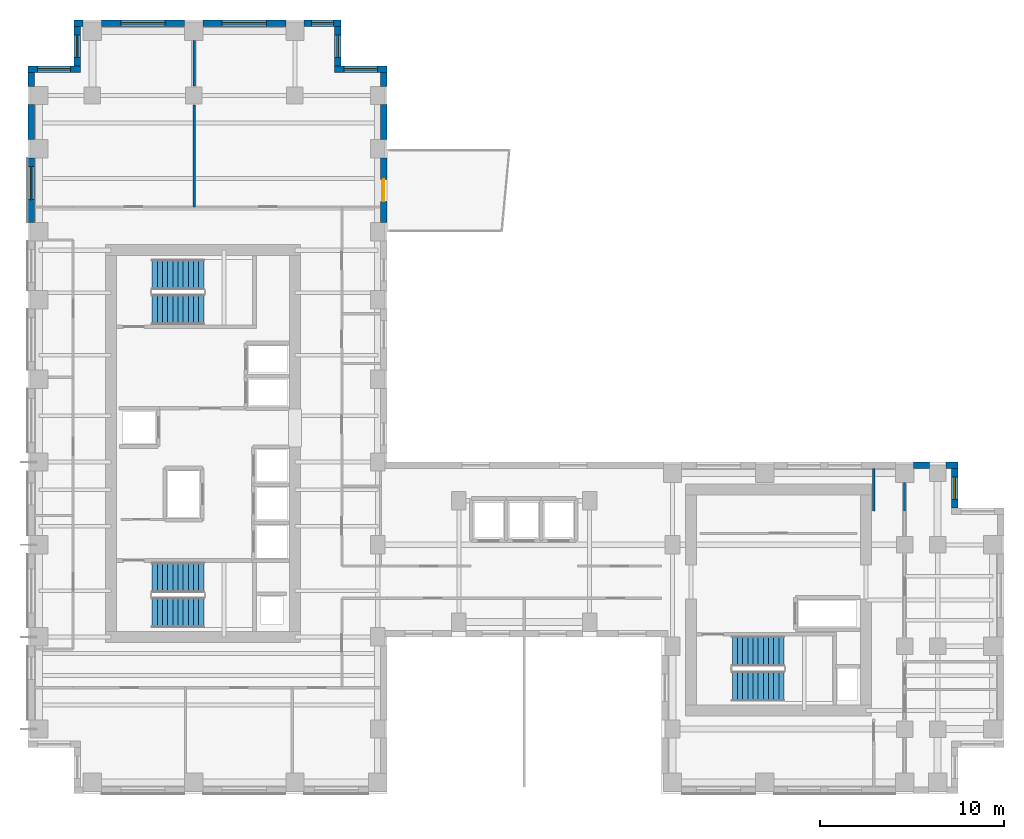
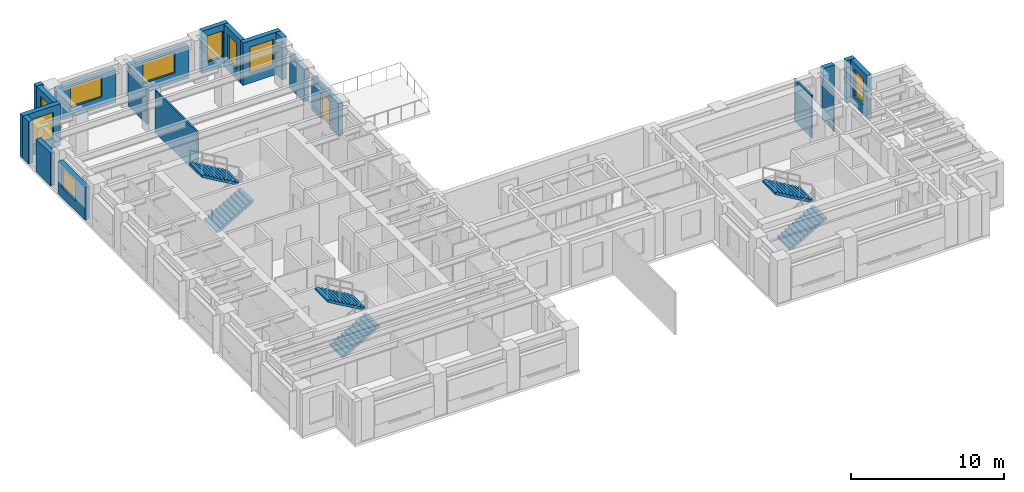
# One storey, part 8 of 10: 21 walls, 9 windows, 6 stair flights, 1 door, 10 openings, 3 elements without a shape of their own.
"""IFC4 building model written with IfcOpenShell, lengths in metres."""

from ifc_helpers import new_model, si_unit, direction, frame, frame_2d, origin, place, context, subcontext, project, spatial, polyline, rectangle, outline, extrude, source, transform, mapped, material, layer, layer_set, type_object, element, fill, aggregate, save


model = new_model("IFC4")

# Units and contexts
model_context = context("Model", 3, precision=1e-05, world=origin(), true_north=direction((0.0, 1.0)))
body_context = subcontext(model_context, "Body", "Model", "MODEL_VIEW")
ifc_project = project(units=[si_unit("LENGTHUNIT", "METRE"), si_unit("AREAUNIT", "SQUARE_METRE"), si_unit("VOLUMEUNIT", "CUBIC_METRE"), si_unit("PLANEANGLEUNIT", "RADIAN"), si_unit("MASSUNIT", "GRAM", prefix="KILO")], contexts=[model_context])

# Site, building, storey
site_placement = place(None, origin())
site = spatial("IfcSite", under=ifc_project, at=site_placement, CompositionType="ELEMENT")
building_placement = place(site_placement, origin())
building = spatial("IfcBuilding", under=site, at=building_placement, Name="Kharzan Plaza Tower", CompositionType="ELEMENT")
storey_placement = place(building_placement, frame((0.0, 0.0, 157.5)))
storey = spatial("IfcBuildingStorey", under=building, at=storey_placement, Name="L42", CompositionType="ELEMENT", Elevation=157.5)

# Wall, opening, window
ifc_material_1 = material(Name="Concrete C40/50", Category="concrete")
ifc_layer_1 = layer(ifc_material_1, 0.35009765625)
ifc_layer_set_1 = layer_set([ifc_layer_1], Name="Concrete C40/50")
wall_type_1 = type_object("IfcWallType", Name="WL-EXT-MAS-Z3", PredefinedType="SOLIDWALL", material=ifc_layer_set_1)
wall_1_placement = place(storey_placement, frame((19.5, 39.324951171875, 0.0), z_axis=(0.0, 0.0, 1.0), x_axis=(-1.0, 0.0, 0.0)))
wall_1 = element("IfcWall", 1, at=wall_1_placement, inside=storey, type_object=wall_type_1, Name="L42 Masonry-Frame Exterior Wall 01", PredefinedType="SOLIDWALL", context=body_context, shape_type="SweptSolid", body=[
    extrude(rectangle(XDim=2.85009765625, YDim=0.35009765625, at=frame_2d((1.425048828125, 0.0))), origin(), (0.0, 0.0, 1.0), 3.385009765625),
])
opening_1_placement = place(wall_1_placement, frame((0.52490234375, 0.0, 0.780029296875)))
opening_1 = element("IfcOpeningElement", 2, at=opening_1_placement, cuts=wall_1, Name="Opening W1", PredefinedType="OPENING", context=body_context, shape_type="SweptSolid", body=[
    extrude(rectangle(XDim=1.800048828125, YDim=2.10009765625, at=frame_2d((0.89990234375, 1.050048828125))), frame((0.0, 0.18505859375, 0.0), z_axis=(0.0, -1.0, 0.0), x_axis=(1.0, 0.0, 0.0)), (0.0, 0.0, 1.0), 0.3701171875),
])
ifc_material_2 = material(Name="Low-E Double Glazing", Category="glass")
window_type_1 = type_object("IfcWindowType", Name="WN-REC-1800x2100", PartitioningType="SINGLE_PANEL", PredefinedType="WINDOW", material=ifc_material_2)
shared_shape_1 = source(origin(), body_context, "Body", "SweptSolid", [
    extrude(rectangle(XDim=1.800048828125, YDim=2.10009765625, at=frame_2d((0.89990234375, 1.050048828125))), frame((0.0, 0.030029296875, 0.0), z_axis=(0.0, -1.0, 0.0), x_axis=(1.0, 0.0, 0.0)), (0.0, 0.0, 1.0), 0.06005859375),
])
window_1_placement = place(opening_1_placement, origin())
window_1 = element("IfcWindow", 3, at=window_1_placement, inside=storey, type_object=window_type_1, Name="L42 Recessed Solar-Control Window 01-1", OverallHeight=2.10009765625, OverallWidth=1.800048828125, PartitioningType="SINGLE_PANEL", PredefinedType="WINDOW", context=body_context, shape_type="MappedRepresentation", body=[
    mapped(shared_shape_1, transform((0.0, 0.0, 0.0), x_axis=(1.0, 0.0, 0.0), y_axis=(0.0, 1.0, 0.0), z_axis=(0.0, 0.0, 1.0))),
])
fill(opening_1, window_1)

wall_2_placement = place(storey_placement, frame((16.824951171875, 39.498046875, 0.0), z_axis=(0.0, 0.0, 1.0), x_axis=(0.0, 1.0, 0.0)))
wall_2 = element("IfcWall", 4, at=wall_2_placement, inside=storey, type_object=wall_type_1, Name="L42 Masonry-Frame Exterior Wall 02", PredefinedType="SOLIDWALL", context=body_context, shape_type="SweptSolid", body=[
    extrude(rectangle(XDim=2.154052734375, YDim=0.35009765625, at=frame_2d((1.0771484375, 0.0))), origin(), (0.0, 0.0, 1.0), 3.385009765625),
])
opening_2_placement = place(wall_2_placement, frame((0.47705078125, 0.0, 0.780029296875)))
opening_2 = element("IfcOpeningElement", 5, at=opening_2_placement, cuts=wall_2, Name="Opening W3", PredefinedType="OPENING", context=body_context, shape_type="SweptSolid", body=[
    extrude(rectangle(XDim=1.199951171875, YDim=2.10009765625, at=frame_2d((0.60009765625, 1.050048828125))), frame((0.0, 0.18505859375, 0.0), z_axis=(0.0, -1.0, 0.0), x_axis=(1.0, 0.0, 0.0)), (0.0, 0.0, 1.0), 0.3701171875),
])
window_type_2 = type_object("IfcWindowType", Name="WN-REC-1200x2100", PartitioningType="SINGLE_PANEL", PredefinedType="WINDOW", material=ifc_material_2)
shared_shape_2 = source(origin(), body_context, "Body", "SweptSolid", [
    extrude(rectangle(XDim=1.199951171875, YDim=2.10009765625, at=frame_2d((0.60009765625, 1.050048828125))), frame((0.0, 0.030029296875, 0.0), z_axis=(0.0, -1.0, 0.0), x_axis=(1.0, 0.0, 0.0)), (0.0, 0.0, 1.0), 0.06005859375),
])
window_2_placement = place(opening_2_placement, origin())
window_2 = element("IfcWindow", 6, at=window_2_placement, inside=storey, type_object=window_type_2, Name="L42 Recessed Solar-Control Window 02-1", OverallHeight=2.10009765625, OverallWidth=1.199951171875, PartitioningType="SINGLE_PANEL", PredefinedType="WINDOW", context=body_context, shape_type="MappedRepresentation", body=[
    mapped(shared_shape_2, transform((0.0, 0.0, 0.0), x_axis=(1.0, 0.0, 0.0), y_axis=(0.0, 1.0, 0.0), z_axis=(0.0, 0.0, 1.0))),
])
fill(opening_2, window_2)

wall_3_placement = place(storey_placement, frame((17.0, 41.824951171875, 0.0), z_axis=(0.0, 0.0, 1.0), x_axis=(-1.0, 0.0, 0.0)))
wall_3 = element("IfcWall", 7, at=wall_3_placement, inside=storey, type_object=wall_type_1, Name="L42 Masonry-Frame Exterior Wall 03", PredefinedType="SOLIDWALL", context=body_context, shape_type="SweptSolid", body=[
    extrude(rectangle(XDim=2.001953125, YDim=0.35009765625, at=frame_2d((1.0009765625, 0.0))), origin(), (0.0, 0.0, 1.0), 3.385009765625),
])
opening_3_placement = place(wall_3_placement, frame((0.40087890625, 0.0, 0.780029296875)))
opening_3 = element("IfcOpeningElement", 8, at=opening_3_placement, cuts=wall_3, Name="Opening W3", PredefinedType="OPENING", context=body_context, shape_type="SweptSolid", body=[
    extrude(rectangle(XDim=1.199951171875, YDim=2.10009765625, at=frame_2d((0.60009765625, 1.050048828125))), frame((0.0, 0.18505859375, 0.0), z_axis=(0.0, -1.0, 0.0), x_axis=(1.0, 0.0, 0.0)), (0.0, 0.0, 1.0), 0.3701171875),
])
window_3_placement = place(opening_3_placement, origin())
window_3 = element("IfcWindow", 9, at=window_3_placement, inside=storey, type_object=window_type_2, Name="L42 Recessed Solar-Control Window 03-1", OverallHeight=2.10009765625, OverallWidth=1.199951171875, PartitioningType="SINGLE_PANEL", PredefinedType="WINDOW", context=body_context, shape_type="MappedRepresentation", body=[
    mapped(shared_shape_2, transform((0.0, 0.0, 0.0), x_axis=(1.0, 0.0, 0.0), y_axis=(0.0, 1.0, 0.0), z_axis=(0.0, 0.0, 1.0))),
])
fill(opening_3, window_3)

wall_4_placement = place(storey_placement, frame((14.001953125, 41.824951171875, 0.0), z_axis=(0.0, 0.0, 1.0), x_axis=(-1.0, 0.0, 0.0)))
wall_4 = element("IfcWall", 10, at=wall_4_placement, inside=storey, type_object=wall_type_1, Name="L42 Masonry-Frame Exterior Wall 04", PredefinedType="SOLIDWALL", context=body_context, shape_type="SweptSolid", body=[
    extrude(rectangle(XDim=4.50390625, YDim=0.35009765625, at=frame_2d((2.251953125, 0.0))), origin(), (0.0, 0.0, 1.0), 2.612060546875),
])
opening_4_placement = place(wall_4_placement, frame((1.052001953125, 0.0, 0.780029296875)))
opening_4 = element("IfcOpeningElement", 11, at=opening_4_placement, cuts=wall_4, Name="Opening W2", PredefinedType="OPENING", context=body_context, shape_type="SweptSolid", body=[
    extrude(rectangle(XDim=2.39990234375, YDim=1.652099609375, at=frame_2d((1.199951171875, 0.826171875))), frame((0.0, 0.18505859375, 0.0), z_axis=(0.0, -1.0, 0.0), x_axis=(1.0, 0.0, 0.0)), (0.0, 0.0, 1.0), 0.3701171875),
])
window_type_3 = type_object("IfcWindowType", Name="WN-REC-2400x2100", PartitioningType="SINGLE_PANEL", PredefinedType="WINDOW", material=ifc_material_2)
shared_shape_3 = source(origin(), body_context, "Body", "SweptSolid", [
    extrude(rectangle(XDim=2.39990234375, YDim=1.652099609375, at=frame_2d((1.199951171875, 0.826171875))), frame((0.0, 0.030029296875, 0.0), z_axis=(0.0, -1.0, 0.0), x_axis=(1.0, 0.0, 0.0)), (0.0, 0.0, 1.0), 0.06005859375),
])
window_4_placement = place(opening_4_placement, origin())
window_4 = element("IfcWindow", 12, at=window_4_placement, inside=storey, type_object=window_type_3, Name="L42 Wide Recessed Solar-Control Window 04-1", OverallHeight=1.652099609375, OverallWidth=2.39990234375, PartitioningType="SINGLE_PANEL", PredefinedType="WINDOW", context=body_context, shape_type="MappedRepresentation", body=[
    mapped(shared_shape_3, transform((0.0, 0.0, 0.0), x_axis=(1.0, 0.0, 0.0), y_axis=(0.0, 1.0, 0.0), z_axis=(0.0, 0.0, 1.0))),
])
fill(opening_4, window_4)

wall_5_placement = place(storey_placement, frame((8.501953125, 41.824951171875, 0.0), z_axis=(0.0, 0.0, 1.0), x_axis=(-1.0, 0.0, 0.0)))
wall_5 = element("IfcWall", 13, at=wall_5_placement, inside=storey, type_object=wall_type_1, Name="L42 Masonry-Frame Exterior Wall 05", PredefinedType="SOLIDWALL", context=body_context, shape_type="SweptSolid", body=[
    extrude(rectangle(XDim=4.50390625, YDim=0.35009765625, at=frame_2d((2.251953125, 0.0))), origin(), (0.0, 0.0, 1.0), 2.612060546875),
])
opening_5_placement = place(wall_5_placement, frame((1.052001953125, 0.0, 0.780029296875)))
opening_5 = element("IfcOpeningElement", 14, at=opening_5_placement, cuts=wall_5, Name="Opening W2", PredefinedType="OPENING", context=body_context, shape_type="SweptSolid", body=[
    extrude(rectangle(XDim=2.39990234375, YDim=1.652099609375, at=frame_2d((1.199951171875, 0.826171875))), frame((0.0, 0.18505859375, 0.0), z_axis=(0.0, -1.0, 0.0), x_axis=(1.0, 0.0, 0.0)), (0.0, 0.0, 1.0), 0.3701171875),
])
window_5_placement = place(opening_5_placement, origin())
window_5 = element("IfcWindow", 15, at=window_5_placement, inside=storey, type_object=window_type_3, Name="L42 Wide Recessed Solar-Control Window 05-1", OverallHeight=1.652099609375, OverallWidth=2.39990234375, PartitioningType="SINGLE_PANEL", PredefinedType="WINDOW", context=body_context, shape_type="MappedRepresentation", body=[
    mapped(shared_shape_3, transform((0.0, 0.0, 0.0), x_axis=(1.0, 0.0, 0.0), y_axis=(0.0, 1.0, 0.0), z_axis=(0.0, 0.0, 1.0))),
])
fill(opening_5, window_5)

wall_6_placement = place(storey_placement, frame((2.675048828125, 41.652099609375, 0.0), z_axis=(0.0, 0.0, 1.0), x_axis=(0.0, -1.0, 0.0)))
wall_6 = element("IfcWall", 16, at=wall_6_placement, inside=storey, type_object=wall_type_1, Name="L42 Masonry-Frame Exterior Wall 07", PredefinedType="SOLIDWALL", context=body_context, shape_type="SweptSolid", body=[
    extrude(rectangle(XDim=2.154052734375, YDim=0.35009765625, at=frame_2d((1.0771484375, 0.0))), origin(), (0.0, 0.0, 1.0), 3.385009765625),
])
opening_6_placement = place(wall_6_placement, frame((0.47705078125, 0.0, 0.780029296875)))
opening_6 = element("IfcOpeningElement", 17, at=opening_6_placement, cuts=wall_6, Name="Opening W3", PredefinedType="OPENING", context=body_context, shape_type="SweptSolid", body=[
    extrude(rectangle(XDim=1.199951171875, YDim=2.10009765625, at=frame_2d((0.60009765625, 1.050048828125))), frame((0.0, 0.18505859375, 0.0), z_axis=(0.0, -1.0, 0.0), x_axis=(1.0, 0.0, 0.0)), (0.0, 0.0, 1.0), 0.3701171875),
])
window_6_placement = place(opening_6_placement, origin())
window_6 = element("IfcWindow", 18, at=window_6_placement, inside=storey, type_object=window_type_2, Name="L42 Recessed Solar-Control Window 07-1", OverallHeight=2.10009765625, OverallWidth=1.199951171875, PartitioningType="SINGLE_PANEL", PredefinedType="WINDOW", context=body_context, shape_type="MappedRepresentation", body=[
    mapped(shared_shape_2, transform((0.0, 0.0, 0.0), x_axis=(1.0, 0.0, 0.0), y_axis=(0.0, 1.0, 0.0), z_axis=(0.0, 0.0, 1.0))),
])
fill(opening_6, window_6)

wall_7_placement = place(storey_placement, frame((2.85009765625, 39.324951171875, 0.0), z_axis=(0.0, 0.0, 1.0), x_axis=(-1.0, 0.0, 0.0)))
wall_7 = element("IfcWall", 19, at=wall_7_placement, inside=storey, type_object=wall_type_1, Name="L42 Masonry-Frame Exterior Wall 08", PredefinedType="SOLIDWALL", context=body_context, shape_type="SweptSolid", body=[
    extrude(rectangle(XDim=2.85009765625, YDim=0.35009765625, at=frame_2d((1.425048828125, 0.0))), origin(), (0.0, 0.0, 1.0), 3.385009765625),
])
opening_7_placement = place(wall_7_placement, frame((0.52490234375, 0.0, 0.780029296875)))
opening_7 = element("IfcOpeningElement", 20, at=opening_7_placement, cuts=wall_7, Name="Opening W1", PredefinedType="OPENING", context=body_context, shape_type="SweptSolid", body=[
    extrude(rectangle(XDim=1.800048828125, YDim=2.10009765625, at=frame_2d((0.89990234375, 1.050048828125))), frame((0.0, 0.18505859375, 0.0), z_axis=(0.0, -1.0, 0.0), x_axis=(1.0, 0.0, 0.0)), (0.0, 0.0, 1.0), 0.3701171875),
])
window_7_placement = place(opening_7_placement, origin())
window_7 = element("IfcWindow", 21, at=window_7_placement, inside=storey, type_object=window_type_1, Name="L42 Recessed Solar-Control Window 08-1", OverallHeight=2.10009765625, OverallWidth=1.800048828125, PartitioningType="SINGLE_PANEL", PredefinedType="WINDOW", context=body_context, shape_type="MappedRepresentation", body=[
    mapped(shared_shape_1, transform((0.0, 0.0, 0.0), x_axis=(1.0, 0.0, 0.0), y_axis=(0.0, 1.0, 0.0), z_axis=(0.0, 0.0, 1.0))),
])
fill(opening_7, window_7)

wall_8_placement = place(storey_placement, frame((0.175048828125, 34.501953125, 0.0), z_axis=(0.0, 0.0, 1.0), x_axis=(0.0, -1.0, 0.0)))
wall_8 = element("IfcWall", 22, at=wall_8_placement, inside=storey, type_object=wall_type_1, Name="L42 Masonry-Frame Exterior Wall 11", PredefinedType="SOLIDWALL", context=body_context, shape_type="SweptSolid", body=[
    extrude(rectangle(XDim=3.50390625, YDim=0.35009765625, at=frame_2d((1.751953125, 0.0))), origin(), (0.0, 0.0, 1.0), 2.612060546875),
])
opening_8_placement = place(wall_8_placement, frame((0.4609375, 0.0, 0.780029296875)))
opening_8 = element("IfcOpeningElement", 23, at=opening_8_placement, cuts=wall_8, Name="Opening W1", PredefinedType="OPENING", context=body_context, shape_type="SweptSolid", body=[
    extrude(rectangle(XDim=1.800048828125, YDim=1.652099609375, at=frame_2d((0.89990234375, 0.826171875))), frame((0.0, 0.18505859375, 0.0), z_axis=(0.0, -1.0, 0.0), x_axis=(1.0, 0.0, 0.0)), (0.0, 0.0, 1.0), 0.3701171875),
])
shared_shape_4 = source(origin(), body_context, "Body", "SweptSolid", [
    extrude(rectangle(XDim=1.800048828125, YDim=1.652099609375, at=frame_2d((0.89990234375, 0.826171875))), frame((0.0, 0.030029296875, 0.0), z_axis=(0.0, -1.0, 0.0), x_axis=(1.0, 0.0, 0.0)), (0.0, 0.0, 1.0), 0.06005859375),
])
window_8_placement = place(opening_8_placement, origin())
window_8 = element("IfcWindow", 24, at=window_8_placement, inside=storey, type_object=window_type_1, Name="L42 Recessed Solar-Control Window 11-1", OverallHeight=1.652099609375, OverallWidth=1.800048828125, PartitioningType="SINGLE_PANEL", PredefinedType="WINDOW", context=body_context, shape_type="MappedRepresentation", body=[
    mapped(shared_shape_4, transform((0.0, 0.0, 0.0), x_axis=(1.0, 0.0, 0.0), y_axis=(0.0, 1.0, 0.0), z_axis=(0.0, 0.0, 1.0))),
])
fill(opening_8, window_8)

wall_9_placement = place(storey_placement, frame((50.324951171875, 15.498046875, 0.0), z_axis=(0.0, 0.0, 1.0), x_axis=(0.0, 1.0, 0.0)))
wall_9 = element("IfcWall", 25, at=wall_9_placement, inside=storey, type_object=wall_type_1, Name="L42 Masonry-Frame Exterior Wall 41", PredefinedType="SOLIDWALL", context=body_context, shape_type="SweptSolid", body=[
    extrude(rectangle(XDim=2.154052734375, YDim=0.35009765625, at=frame_2d((1.0771484375, 0.0))), origin(), (0.0, 0.0, 1.0), 3.385009765625),
])
opening_9_placement = place(wall_9_placement, frame((0.47705078125, 0.0, 0.780029296875)))
opening_9 = element("IfcOpeningElement", 26, at=opening_9_placement, cuts=wall_9, Name="Opening W3", PredefinedType="OPENING", context=body_context, shape_type="SweptSolid", body=[
    extrude(rectangle(XDim=1.199951171875, YDim=2.10009765625, at=frame_2d((0.60009765625, 1.050048828125))), frame((0.0, 0.18505859375, 0.0), z_axis=(0.0, -1.0, 0.0), x_axis=(1.0, 0.0, 0.0)), (0.0, 0.0, 1.0), 0.3701171875),
])
window_9_placement = place(opening_9_placement, origin())
window_9 = element("IfcWindow", 27, at=window_9_placement, inside=storey, type_object=window_type_2, Name="L42 Recessed Solar-Control Window 41-1", OverallHeight=2.10009765625, OverallWidth=1.199951171875, PartitioningType="SINGLE_PANEL", PredefinedType="WINDOW", context=body_context, shape_type="MappedRepresentation", body=[
    mapped(shared_shape_2, transform((0.0, 0.0, 0.0), x_axis=(1.0, 0.0, 0.0), y_axis=(0.0, 1.0, 0.0), z_axis=(0.0, 0.0, 1.0))),
])
fill(opening_9, window_9)

# Wall, opening, door
wall_10_placement = place(storey_placement, frame((19.324951171875, 30.998046875, 0.0), z_axis=(0.0, 0.0, 1.0), x_axis=(0.0, 1.0, 0.0)))
wall_10 = element("IfcWall", 28, at=wall_10_placement, inside=storey, type_object=wall_type_1, Name="L42 Masonry-Frame Exterior Wall 50", PredefinedType="SOLIDWALL", context=body_context, shape_type="SweptSolid", body=[
    extrude(rectangle(XDim=3.50390625, YDim=0.35009765625, at=frame_2d((1.751953125, 0.0))), origin(), (0.0, 0.0, 1.0), 2.612060546875),
])
opening_10_placement = place(wall_10_placement, frame((1.152099609375, 0.0, 0.0)))
opening_10 = element("IfcOpeningElement", 29, at=opening_10_placement, cuts=wall_10, Name="Opening ED3", PredefinedType="OPENING", context=body_context, shape_type="SweptSolid", body=[
    extrude(rectangle(XDim=1.199951171875, YDim=2.14990234375, at=frame_2d((0.60009765625, 1.074951171875))), frame((0.0, 0.18505859375, 0.0), z_axis=(0.0, -1.0, 0.0), x_axis=(1.0, 0.0, 0.0)), (0.0, 0.0, 1.0), 0.3701171875),
])
ifc_material_3 = material(Name="Thermally Broken Anodized Bronze Aluminium", Category="aluminium")
door_type = type_object("IfcDoorType", Name="DR-EXT-TRAY-1200", OperationType="SINGLE_SWING_LEFT", PredefinedType="DOOR", material=ifc_material_3)
shared_shape_5 = source(origin(), body_context, "Body", "SweptSolid", [
    extrude(rectangle(XDim=1.199951171875, YDim=2.14990234375, at=frame_2d((0.60009765625, 1.074951171875))), frame((0.0, 0.02490234375, 0.0), z_axis=(0.0, -1.0, 0.0), x_axis=(1.0, 0.0, 0.0)), (0.0, 0.0, 1.0), 0.050048828125),
])
door_placement = place(opening_10_placement, frame((1.199951171875, 0.0, 0.0), z_axis=(0.0, 0.0, 1.0), x_axis=(-1.0, 0.0, 0.0)))
door = element("IfcDoor", 30, at=door_placement, inside=storey, type_object=door_type, Name="L42 Cantilevered Sky-Terrace Tray Access Door", OperationType="SINGLE_SWING_LEFT", OverallHeight=2.14990234375, OverallWidth=1.199951171875, PredefinedType="DOOR", context=body_context, shape_type="MappedRepresentation", body=[
    mapped(shared_shape_5, transform((0.0, 0.0, 0.0), x_axis=(1.0, 0.0, 0.0), y_axis=(0.0, 1.0, 0.0), z_axis=(0.0, 0.0, 1.0))),
])
fill(opening_10, door)

# Walls
shared_shape_6 = source(origin(), body_context, "Body", "SweptSolid", [
    extrude(rectangle(XDim=0.501953125, YDim=0.35009765625, at=frame_2d((0.2509765625, 0.0))), origin(), (0.0, 0.0, 1.0), 3.385009765625),
])
wall_11_placement = place(storey_placement, frame((3.001953125, 41.824951171875, 0.0), z_axis=(0.0, 0.0, 1.0), x_axis=(-1.0, 0.0, 0.0)))
element("IfcWall", 31, at=wall_11_placement, inside=storey, type_object=wall_type_1, Name="L42 Masonry-Frame Exterior Wall 06", PredefinedType="SOLIDWALL", context=body_context, shape_type="MappedRepresentation", body=[
    mapped(shared_shape_6, transform((0.0, 0.0, 0.0), x_axis=(1.0, 0.0, 0.0), y_axis=(0.0, 1.0, 0.0), z_axis=(0.0, 0.0, 1.0))),
])
shared_shape_7 = source(origin(), body_context, "Body", "SweptSolid", [
    extrude(rectangle(XDim=0.754150390625, YDim=0.35009765625, at=frame_2d((0.376953125, 0.0))), origin(), (0.0, 0.0, 1.0), 3.385009765625),
])
for number, where, z_axis, x_axis, name in (
    (32, (0.175048828125, 39.152099609375, 0.0), (0.0, 0.0, 1.0), (0.0, -1.0, 0.0), "L42 Masonry-Frame Exterior Wall 09"),
    (33, (19.324951171875, 38.39794921875, 0.0), (0.0, 0.0, 1.0), (0.0, 1.0, 0.0), "L42 Masonry-Frame Exterior Wall 52"),
):
    element("IfcWall", number, at=place(storey_placement, frame(where, z_axis=z_axis, x_axis=x_axis)), inside=storey, type_object=wall_type_1, Name=name, PredefinedType="SOLIDWALL", context=body_context, shape_type="MappedRepresentation", body=[
        mapped(shared_shape_7, transform((0.0, 0.0, 0.0), x_axis=(1.0, 0.0, 0.0), y_axis=(0.0, 1.0, 0.0), z_axis=(0.0, 0.0, 1.0))),
    ])
shared_shape_8 = source(origin(), body_context, "Body", "SweptSolid", [
    extrude(rectangle(XDim=0.652099609375, YDim=0.35009765625, at=frame_2d((0.326171875, 0.0))), origin(), (0.0, 0.0, 1.0), 3.385009765625),
])
wall_12_placement = place(storey_placement, frame((50.5, 17.824951171875, 0.0), z_axis=(0.0, 0.0, 1.0), x_axis=(-1.0, 0.0, 0.0)))
element("IfcWall", 34, at=wall_12_placement, inside=storey, type_object=wall_type_1, Name="L42 Masonry-Frame Exterior Wall 42", PredefinedType="SOLIDWALL", context=body_context, shape_type="MappedRepresentation", body=[
    mapped(shared_shape_8, transform((0.0, 0.0, 0.0), x_axis=(1.0, 0.0, 0.0), y_axis=(0.0, 1.0, 0.0), z_axis=(0.0, 0.0, 1.0))),
])
shared_shape_9 = source(origin(), body_context, "Body", "SweptSolid", [
    extrude(rectangle(XDim=0.85400390625, YDim=0.35009765625, at=frame_2d((0.427001953125, 0.0))), origin(), (0.0, 0.0, 1.0), 3.385009765625),
])
wall_13_placement = place(storey_placement, frame((48.951904296875, 17.824951171875, 0.0), z_axis=(0.0, 0.0, 1.0), x_axis=(-1.0, 0.0, 0.0)))
element("IfcWall", 35, at=wall_13_placement, inside=storey, type_object=wall_type_1, Name="L42 Masonry-Frame Exterior Wall 43", PredefinedType="SOLIDWALL", context=body_context, shape_type="MappedRepresentation", body=[
    mapped(shared_shape_9, transform((0.0, 0.0, 0.0), x_axis=(1.0, 0.0, 0.0), y_axis=(0.0, 1.0, 0.0), z_axis=(0.0, 0.0, 1.0))),
])
ifc_material_4 = material(Name="Fire-Rated Gypsum Board Partition", Category="gypsum")
ifc_layer_2 = layer(ifc_material_4, 0.125)
ifc_layer_set_2 = layer_set([ifc_layer_2], Name="Fire-Rated Gypsum Board Partition")
wall_type_2 = type_object("IfcWallType", Name="WL-INT-PART-125", PredefinedType="PARTITIONING", material=ifc_layer_set_2)
shared_shape_10 = source(origin(), body_context, "Body", "SweptSolid", [
    extrude(rectangle(XDim=1.52978515625, YDim=0.125, at=frame_2d((0.764892578125, 0.0))), origin(), (0.0, 0.0, 1.0), 2.77294921875),
])
wall_14_placement = place(storey_placement, frame((47.60009765625, 15.35009765625, 0.0), z_axis=(0.0, 0.0, 1.0), x_axis=(0.0, 1.0, 0.0)))
element("IfcWall", 36, at=wall_14_placement, inside=storey, type_object=wall_type_2, Name="L42 Interior Partition SH-B0W1N", PredefinedType="PARTITIONING", context=body_context, shape_type="MappedRepresentation", body=[
    mapped(shared_shape_10, transform((0.0, 0.0, 0.0), x_axis=(1.0, 0.0, 0.0), y_axis=(0.0, 1.0, 0.0), z_axis=(0.0, 0.0, 1.0))),
])
shared_shape_11 = source(origin(), body_context, "Body", "SweptSolid", [
    extrude(rectangle(XDim=2.2978515625, YDim=0.125, at=frame_2d((1.14892578125, 0.0))), origin(), (0.0, 0.0, 1.0), 3.385009765625),
])
wall_15_placement = place(storey_placement, frame((45.919921875, 15.35009765625, 0.0), z_axis=(0.0, 0.0, 1.0), x_axis=(0.0, 1.0, 0.0)))
element("IfcWall", 37, at=wall_15_placement, inside=storey, type_object=wall_type_2, Name="L42 Interior Partition SH-RBNE0", PredefinedType="PARTITIONING", context=body_context, shape_type="MappedRepresentation", body=[
    mapped(shared_shape_11, transform((0.0, 0.0, 0.0), x_axis=(1.0, 0.0, 0.0), y_axis=(0.0, 1.0, 0.0), z_axis=(0.0, 0.0, 1.0))),
])
shared_shape_12 = source(origin(), body_context, "Body", "SweptSolid", [
    extrude(rectangle(XDim=1.904052734375, YDim=0.35009765625, at=frame_2d((0.9521484375, 0.0))), origin(), (0.0, 0.0, 1.0), 2.612060546875),
])
for number, where, z_axis, x_axis, name in (
    (38, (0.175048828125, 37.402099609375, 0.0), (0.0, 0.0, 1.0), (0.0, -1.0, 0.0), "L42 Masonry-Frame Exterior Wall 10"),
    (39, (19.324951171875, 35.498046875, 0.0), (0.0, 0.0, 1.0), (0.0, 1.0, 0.0), "L42 Masonry-Frame Exterior Wall 51"),
):
    element("IfcWall", number, at=place(storey_placement, frame(where, z_axis=z_axis, x_axis=x_axis)), inside=storey, type_object=wall_type_1, Name=name, PredefinedType="SOLIDWALL", context=body_context, shape_type="MappedRepresentation", body=[
        mapped(shared_shape_12, transform((0.0, 0.0, 0.0), x_axis=(1.0, 0.0, 0.0), y_axis=(0.0, 1.0, 0.0), z_axis=(0.0, 0.0, 1.0))),
    ])
shared_shape_13 = source(origin(), body_context, "Body", "SweptSolid", [
    extrude(rectangle(XDim=5.52978515625, YDim=0.125, at=frame_2d((2.764892578125, 0.0))), origin(), (0.0, 0.0, 1.0), 3.385009765625),
])
wall_16_placement = place(storey_placement, frame((9.0390625, 31.85009765625, 0.0), z_axis=(0.0, 0.0, 1.0), x_axis=(0.0, 1.0, 0.0)))
element("IfcWall", 40, at=wall_16_placement, inside=storey, type_object=wall_type_2, Name="L42 Interior Partition SH-NV-1-S1", PredefinedType="PARTITIONING", context=body_context, shape_type="MappedRepresentation", body=[
    mapped(shared_shape_13, transform((0.0, 0.0, 0.0), x_axis=(1.0, 0.0, 0.0), y_axis=(0.0, 1.0, 0.0), z_axis=(0.0, 0.0, 1.0))),
])
shared_shape_14 = source(origin(), body_context, "Body", "SweptSolid", [
    extrude(rectangle(XDim=2.4599609375, YDim=0.125, at=frame_2d((1.22998046875, 0.0))), origin(), (0.0, 0.0, 1.0), 2.77294921875),
])
wall_17_placement = place(storey_placement, frame((9.0390625, 38.419921875, 0.0), z_axis=(0.0, 0.0, 1.0), x_axis=(0.0, 1.0, 0.0)))
element("IfcWall", 41, at=wall_17_placement, inside=storey, type_object=wall_type_2, Name="L42 Interior Partition SH-NV-1-S2", PredefinedType="PARTITIONING", context=body_context, shape_type="MappedRepresentation", body=[
    mapped(shared_shape_14, transform((0.0, 0.0, 0.0), x_axis=(1.0, 0.0, 0.0), y_axis=(0.0, 1.0, 0.0), z_axis=(0.0, 0.0, 1.0))),
])

# Stair, stair flights
stair_type_1 = type_object("IfcStairType", Name="STR-ST-1", PredefinedType="HALF_TURN_STAIR", material=ifc_material_1)
stair_1_placement = place(storey_placement, origin())
stair_1 = element("IfcStair", 42, at=stair_1_placement, inside=storey, type_object=stair_type_1, Name="L42 Protected Exit Stair ST-1", PredefinedType="HALF_TURN_STAIR")
stair_flight_type = type_object("IfcStairFlightType", Name="SFL-1650-R173", PredefinedType="STRAIGHT", material=ifc_material_1)
shared_shape_15 = source(origin(), body_context, "Body", "SweptSolid", [
    extrude(outline(polyline([(-0.0029296875, -0.011962890625), (-0.0029296875, 0.0), (0.0, 0.0), (0.0, 0.16357421875), (0.280029296875, 0.16357421875), (0.280029296875, 0.3271484375), (0.56005859375, 0.3271484375), (0.56005859375, 0.49072265625), (0.840087890625, 0.49072265625), (0.840087890625, 0.654296875), (1.1201171875, 0.654296875), (1.1201171875, 0.81787109375), (1.400146484375, 0.81787109375), (1.400146484375, 0.9814453125), (1.68017578125, 0.9814453125), (1.68017578125, 1.14501953125), (1.960205078125, 1.14501953125), (1.960205078125, 1.30859375), (2.240234375, 1.30859375), (2.240234375, 1.47216796875), (2.520263671875, 1.47216796875), (2.520263671875, 1.6357421875), (2.80029296875, 1.6357421875), (2.80029296875, 1.79931640625), (2.80029296875, 1.462158203125), (0.297119140625, 0.0), (0.297119140625, -0.011962890625), (-0.0029296875, -0.011962890625)])), frame((0.0, 0.824951171875, 0.0), z_axis=(0.0, -1.0, 0.0), x_axis=(1.0, 0.0, 0.0)), (0.0, 0.0, 1.0), 1.64990234375),
])
stair_flight_1_placement = place(storey_placement, frame((6.75, 9.824951171875, 0.0), z_axis=(0.0, 0.0, 1.0), x_axis=(1.0, 0.0, 0.0)))
stair_flight_1 = element("IfcStairFlight", 43, at=stair_flight_1_placement, type_object=stair_flight_type, Name="ST-1 flight 1", NumberOfRisers=11, NumberOfTreads=10, PredefinedType="STRAIGHT", RiserHeight=0.163636364, TreadLength=0.28, context=body_context, shape_type="MappedRepresentation", body=[
    mapped(shared_shape_15, transform((0.0, 0.0, 0.0), x_axis=(1.0, 0.0, 0.0), y_axis=(0.0, 1.0, 0.0), z_axis=(0.0, 0.0, 1.0))),
])
stair_flight_2_placement = place(storey_placement, frame((9.550048828125, 11.72509765625, 1.800048828125), z_axis=(0.0, 0.0, 1.0), x_axis=(-1.0, 0.0, 0.0)))
stair_flight_2 = element("IfcStairFlight", 44, at=stair_flight_2_placement, type_object=stair_flight_type, Name="ST-1 flight 2", NumberOfRisers=11, NumberOfTreads=10, PredefinedType="STRAIGHT", RiserHeight=0.163636364, TreadLength=0.28, context=body_context, shape_type="MappedRepresentation", body=[
    mapped(shared_shape_15, transform((0.0, 0.0, 0.0), x_axis=(1.0, 0.0, 0.0), y_axis=(0.0, 1.0, 0.0), z_axis=(0.0, 0.0, 1.0))),
])
aggregate(stair_1, [stair_flight_1, stair_flight_2])

stair_type_2 = type_object("IfcStairType", Name="STR-ST-2", PredefinedType="HALF_TURN_STAIR", material=ifc_material_1)
stair_2_placement = place(storey_placement, origin())
stair_2 = element("IfcStair", 45, at=stair_2_placement, inside=storey, type_object=stair_type_2, Name="L42 Protected Exit Stair ST-2", PredefinedType="HALF_TURN_STAIR")
stair_flight_3_placement = place(storey_placement, frame((6.75, 26.27490234375, 0.0), z_axis=(0.0, 0.0, 1.0), x_axis=(1.0, 0.0, 0.0)))
stair_flight_3 = element("IfcStairFlight", 46, at=stair_flight_3_placement, type_object=stair_flight_type, Name="ST-2 flight 1", NumberOfRisers=11, NumberOfTreads=10, PredefinedType="STRAIGHT", RiserHeight=0.163636364, TreadLength=0.28, context=body_context, shape_type="MappedRepresentation", body=[
    mapped(shared_shape_15, transform((0.0, 0.0, 0.0), x_axis=(1.0, 0.0, 0.0), y_axis=(0.0, 1.0, 0.0), z_axis=(0.0, 0.0, 1.0))),
])
stair_flight_4_placement = place(storey_placement, frame((9.550048828125, 28.175048828125, 1.800048828125), z_axis=(0.0, 0.0, 1.0), x_axis=(-1.0, 0.0, 0.0)))
stair_flight_4 = element("IfcStairFlight", 47, at=stair_flight_4_placement, type_object=stair_flight_type, Name="ST-2 flight 2", NumberOfRisers=11, NumberOfTreads=10, PredefinedType="STRAIGHT", RiserHeight=0.163636364, TreadLength=0.28, context=body_context, shape_type="MappedRepresentation", body=[
    mapped(shared_shape_15, transform((0.0, 0.0, 0.0), x_axis=(1.0, 0.0, 0.0), y_axis=(0.0, 1.0, 0.0), z_axis=(0.0, 0.0, 1.0))),
])
aggregate(stair_2, [stair_flight_3, stair_flight_4])

stair_type_3 = type_object("IfcStairType", Name="STR-ST-3", PredefinedType="HALF_TURN_STAIR", material=ifc_material_1)
stair_3_placement = place(storey_placement, origin())
stair_3 = element("IfcStair", 48, at=stair_3_placement, inside=storey, type_object=stair_type_3, Name="L42 Protected Exit Stair ST-3", PredefinedType="HALF_TURN_STAIR")
stair_flight_5_placement = place(storey_placement, frame((38.25, 5.824951171875, 0.0), z_axis=(0.0, 0.0, 1.0), x_axis=(1.0, 0.0, 0.0)))
stair_flight_5 = element("IfcStairFlight", 49, at=stair_flight_5_placement, type_object=stair_flight_type, Name="ST-3 flight 1", NumberOfRisers=11, NumberOfTreads=10, PredefinedType="STRAIGHT", RiserHeight=0.163636364, TreadLength=0.28, context=body_context, shape_type="MappedRepresentation", body=[
    mapped(shared_shape_15, transform((0.0, 0.0, 0.0), x_axis=(1.0, 0.0, 0.0), y_axis=(0.0, 1.0, 0.0), z_axis=(0.0, 0.0, 1.0))),
])
stair_flight_6_placement = place(storey_placement, frame((41.050048828125, 7.72509765625, 1.800048828125), z_axis=(0.0, 0.0, 1.0), x_axis=(-1.0, 0.0, 0.0)))
stair_flight_6 = element("IfcStairFlight", 50, at=stair_flight_6_placement, type_object=stair_flight_type, Name="ST-3 flight 2", NumberOfRisers=11, NumberOfTreads=10, PredefinedType="STRAIGHT", RiserHeight=0.163636364, TreadLength=0.28, context=body_context, shape_type="MappedRepresentation", body=[
    mapped(shared_shape_15, transform((0.0, 0.0, 0.0), x_axis=(1.0, 0.0, 0.0), y_axis=(0.0, 1.0, 0.0), z_axis=(0.0, 0.0, 1.0))),
])
aggregate(stair_3, [stair_flight_5, stair_flight_6])

save(model, "model.ifc")
